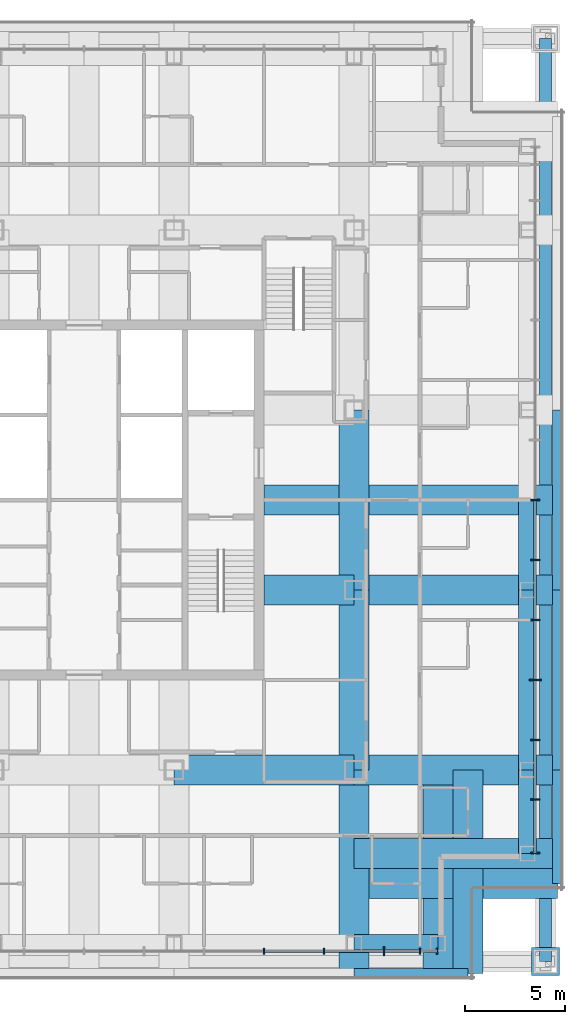
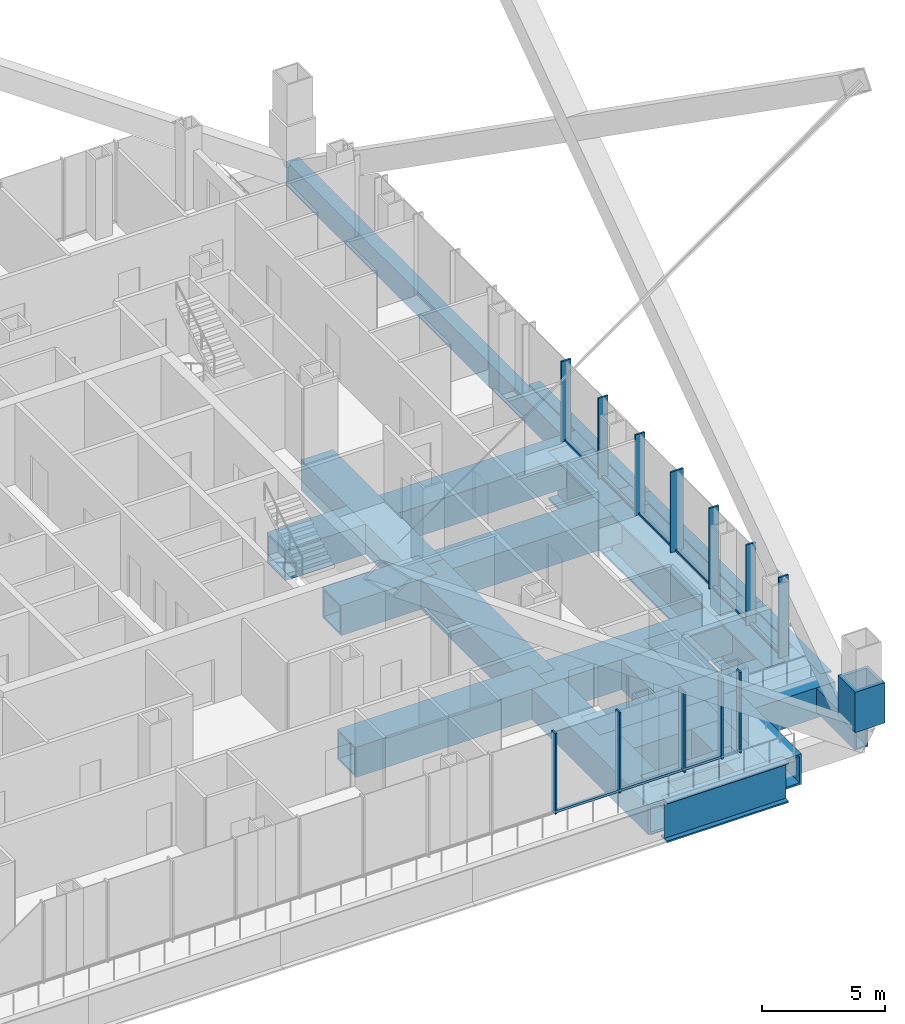
# One storey, part 5 of 18: 23 members, 20 beams, 2 elements without a shape of their own.
"""IFC4 building model written with IfcOpenShell, lengths in metres."""

import ifcopenshell
import ifcopenshell.guid

model = None  # the IFC model being written
_history = None  # IfcOwnerHistory: only IFC2X3 demands one
_inside = {}  # id of a spatial element -> (the spatial element, [elements in it])
_under = {}  # id of a project, library or spatial element -> (it, [spatial elements below it])
_declared = {}  # id of a project -> (the project, [libraries it declares])
_typed = {}  # id of a type object -> (the type object, [elements of that type])
_made_of = {}  # id of a material, layer set ... -> (it, [elements and type objects made of it])


def new_model(schema):
    """Start an empty IFC model of exactly this schema.

    Asked for "IFC4X3", IfcOpenShell would pick the latest addendum, in which some entities
    have other attributes; the version numbers below select the first issue.
    IFC2X3 requires an IfcOwnerHistory on every rooted entity: one is made here for all.
    """
    global model, _history
    if schema == "IFC4X3":
        model = ifcopenshell.file(schema_version=(4, 3, 0, 0))
    else:
        model = ifcopenshell.file(schema=schema)
    _inside.clear()
    _under.clear()
    _declared.clear()
    _typed.clear()
    _made_of.clear()
    _history = None
    if model.schema == "IFC2X3":
        org = make("IfcOrganization", Name="unknown")
        user = make(
            "IfcPersonAndOrganization",
            ThePerson=make("IfcPerson", FamilyName="unknown"),
            TheOrganization=org,
        )
        app = make(
            "IfcApplication",
            ApplicationDeveloper=org,
            Version="unknown",
            ApplicationFullName="unknown",
            ApplicationIdentifier="unknown",
        )
        _history = make(
            "IfcOwnerHistory",
            OwningUser=user,
            OwningApplication=app,
            ChangeAction="ADDED",
            CreationDate=0,
        )
    return model


def make(cls, **values):
    """One entity of the class cls with the attributes given. An attribute that is None is left unset."""
    return model.create_entity(
        cls, **{name: value for name, value in values.items() if value is not None}
    )


def rooted(cls, **values):
    """An entity with a GlobalId (a new one), such as an element, a storey or a relation."""
    return make(cls, GlobalId=ifcopenshell.guid.new(), OwnerHistory=_history, **values)


def si_unit(unit_type, name, prefix=None):
    """IfcSIUnit, for example si_unit("LENGTHUNIT", "METRE", prefix="MILLI")."""
    return make("IfcSIUnit", UnitType=unit_type, Prefix=prefix, Name=name)


def assignment(units):
    """IfcUnitAssignment: the units of a project."""
    return None if units is None else make("IfcUnitAssignment", Units=units)


def point(xyz):
    """IfcCartesianPoint."""
    return None if xyz is None else make("IfcCartesianPoint", Coordinates=xyz)


def direction(xyz):
    """IfcDirection."""
    return None if xyz is None else make("IfcDirection", DirectionRatios=xyz)


def frame(location, z_axis=None, x_axis=None):
    """IfcAxis2Placement3D, a coordinate frame: its origin and axes. An axis left out is left unset."""
    return make(
        "IfcAxis2Placement3D",
        Location=point(location),
        Axis=direction(z_axis),
        RefDirection=direction(x_axis),
    )


def frame_2d(location, x_axis=None):
    """IfcAxis2Placement2D, a coordinate frame in the plane: its origin and x axis."""
    return make(
        "IfcAxis2Placement2D", Location=point(location), RefDirection=direction(x_axis)
    )


def origin():
    """The frame at (0, 0, 0) with its axes left unset."""
    return frame((0.0, 0.0, 0.0))


def origin_2d():
    """The frame at (0, 0) in the plane with its x axis left unset."""
    return frame_2d((0.0, 0.0))


def place(relative_to, where):
    """IfcLocalPlacement: puts the frame where relative to a parent placement (None: the world)."""
    return make(
        "IfcLocalPlacement", PlacementRelTo=relative_to, RelativePlacement=where
    )


def context(
    kind, dimensions, precision=None, world=None, true_north=None, identifier=None
):
    """IfcGeometricRepresentationContext, for example the 3D "Model" context."""
    return make(
        "IfcGeometricRepresentationContext",
        ContextIdentifier=identifier,
        ContextType=kind,
        CoordinateSpaceDimension=dimensions,
        Precision=precision,
        WorldCoordinateSystem=world,
        TrueNorth=true_north,
    )


def subcontext(parent, identifier, kind, view, scale=None):
    """IfcGeometricRepresentationSubContext, for example "Body" below "Model"."""
    return make(
        "IfcGeometricRepresentationSubContext",
        ContextIdentifier=identifier,
        ContextType=kind,
        ParentContext=parent,
        TargetScale=scale,
        TargetView=view,
    )


def project(units=None, contexts=None):
    """IfcProject with its units and contexts."""
    return rooted(
        "IfcProject",
        Name="project",
        RepresentationContexts=contexts,
        UnitsInContext=assignment(units),
    )


def spatial(cls, under=None, at=None, **own):
    """A site, building, storey or space (cls), placed at a placement, below another one or the project."""
    s = rooted(cls, ObjectPlacement=at, **own)
    if under is not None:
        _under.setdefault(under.id(), (under, []))[1].append(s)
    return s


def profile(cls, at=None, kind="AREA", **sizes):
    """A parametric profile (cls). Its sizes go by their IFC names, for example OverallWidth=200.0."""
    return make(cls, ProfileType=kind, Position=at, **sizes)


def rectangle(**sizes):
    """IfcRectangleProfileDef."""
    return profile("IfcRectangleProfileDef", **sizes)


def hollow_rectangle(**sizes):
    """IfcRectangleHollowProfileDef."""
    return profile("IfcRectangleHollowProfileDef", **sizes)


def i_section(**sizes):
    """IfcIShapeProfileDef."""
    return profile("IfcIShapeProfileDef", **sizes)


def extrude(swept, where, along, depth):
    """IfcExtrudedAreaSolid: the profile swept, set in the frame where, extruded along a direction by depth."""
    return make(
        "IfcExtrudedAreaSolid",
        SweptArea=swept,
        Position=where,
        ExtrudedDirection=direction(along),
        Depth=depth,
    )


def shape(context_of_items, identifier, shape_type, items):
    """IfcShapeRepresentation: the items that make up one representation, for example the "Body"."""
    return make(
        "IfcShapeRepresentation",
        ContextOfItems=context_of_items,
        RepresentationIdentifier=identifier,
        RepresentationType=shape_type,
        Items=items,
    )


def material(Name=None, Category=None):
    """IfcMaterial."""
    return make("IfcMaterial", Name=Name, Category=Category)


def layer(
    of_material, thickness, ventilated=None, Name=None, Category=None, Priority=None
):
    """IfcMaterialLayer: one layer of a wall or slab, of a material (None: an air gap)."""
    return make(
        "IfcMaterialLayer",
        Material=of_material,
        LayerThickness=thickness,
        IsVentilated=ventilated,
        Name=Name,
        Category=Category,
        Priority=Priority,
    )


def layer_set(layers, Name=None):
    """IfcMaterialLayerSet."""
    return make("IfcMaterialLayerSet", MaterialLayers=layers, LayerSetName=Name)


def material_profile(
    of_material, cross_section, Name=None, Category=None, Priority=None
):
    """IfcMaterialProfile: a cross section and its material."""
    return make(
        "IfcMaterialProfile",
        Name=Name,
        Material=of_material,
        Profile=cross_section,
        Priority=Priority,
        Category=Category,
    )


def profile_set(profiles, Name=None, composite=None):
    """IfcMaterialProfileSet."""
    return make(
        "IfcMaterialProfileSet",
        Name=Name,
        MaterialProfiles=profiles,
        CompositeProfile=composite,
    )


def made_of(thing, what):
    """Note that an element or type object is made of a material, layer set ...; save() writes the relation."""
    if what is not None:
        _made_of.setdefault(what.id(), (what, []))[1].append(thing)
    return thing


def type_object(cls, material=None, **own):
    """A type object (cls), such as IfcWallType, which elements share."""
    return made_of(rooted(cls, **own), material)


def element(
    cls,
    number,
    at=None,
    inside=None,
    cuts=None,
    type_object=None,
    material=None,
    context=None,
    identifier="Body",
    shape_type=None,
    held_by="IfcProductDefinitionShape",
    body=None,
    shapes=None,
    **own,
):
    """One element of the class cls, such as IfcWall. Its Tag is "e" and its number.

    at: its placement. inside: the storey or other place that contains it. cuts: it is an
    opening in that element (IfcRelVoidsElement). A single representation is given by context,
    identifier, shape_type and body (its items); several are given by shapes. held_by: the class
    of the entity that holds the representations. save() writes the other relations.
    """
    e = rooted(cls, Tag="e%d" % number, ObjectPlacement=at, **own)
    if body is not None:
        shapes = [shape(context, identifier, shape_type, body)]
    if shapes is not None:
        e.Representation = make(held_by, Representations=shapes)
    if inside is not None:
        _inside.setdefault(inside.id(), (inside, []))[1].append(e)
    if cuts is not None:
        rooted(
            "IfcRelVoidsElement", RelatingBuildingElement=cuts, RelatedOpeningElement=e
        )
    if type_object is not None:
        _typed.setdefault(type_object.id(), (type_object, []))[1].append(e)
    return made_of(e, material)


def aggregate(whole, parts):
    """IfcRelAggregates: a whole, such as a stair, and the parts it consists of."""
    return rooted("IfcRelAggregates", RelatingObject=whole, RelatedObjects=parts)


def save(model, path):
    """Write the relations noted so far, then the file.

    IfcRelAggregates (storeys below a building ...), IfcRelContainedInSpatialStructure (elements
    in a storey), IfcRelDefinesByType, IfcRelAssociatesMaterial and IfcRelDeclares: one each for
    every whole, place, type object, material and project.
    """
    for whole, parts in _under.values():
        aggregate(whole, parts)
    for where, things in _inside.values():
        rooted(
            "IfcRelContainedInSpatialStructure",
            RelatedElements=things,
            RelatingStructure=where,
        )
    for kind, things in _typed.values():
        rooted("IfcRelDefinesByType", RelatedObjects=things, RelatingType=kind)
    for what, things in _made_of.values():
        rooted("IfcRelAssociatesMaterial", RelatedObjects=things, RelatingMaterial=what)
    for by, libraries in _declared.values():
        rooted("IfcRelDeclares", RelatingContext=by, RelatedDefinitions=libraries)
    model.write(path)


model = new_model("IFC4")

# Units and contexts
model_context = context("Model", 3, precision=1e-05, world=origin(), true_north=direction((0.0, 1.0)))
body_context = subcontext(model_context, "Body", "Model", "MODEL_VIEW")
ifc_project = project(units=[si_unit("LENGTHUNIT", "METRE"), si_unit("AREAUNIT", "SQUARE_METRE"), si_unit("VOLUMEUNIT", "CUBIC_METRE"), si_unit("PLANEANGLEUNIT", "RADIAN"), si_unit("MASSUNIT", "GRAM", prefix="KILO")], contexts=[model_context])

# Site, building, storey
site_placement = place(None, origin())
site = spatial("IfcSite", under=ifc_project, at=site_placement, CompositionType="ELEMENT")
building_placement = place(site_placement, origin())
building = spatial("IfcBuilding", under=site, at=building_placement, Name="Malebo Sky Hospital", CompositionType="ELEMENT")
storey_placement = place(building_placement, frame((0.0, 0.0, 177.0)))
storey = spatial("IfcBuildingStorey", under=building, at=storey_placement, Name="L42", CompositionType="ELEMENT", Elevation=177.0)

# Curtain wall, members
ifc_material_1 = material(Name="Anodised aluminium, natural silver", Category="aluminium")
ifc_layer_1 = layer(ifc_material_1, 0.25)
ifc_layer_set_1 = layer_set([ifc_layer_1], Name="WARD CURTAIN WALL NORTH AND SOUTH")
curtain_wall_type_1 = type_object("IfcCurtainWallType", Name="WARD CURTAIN WALL NORTH AND SOUTH", PredefinedType="NOTDEFINED", material=ifc_layer_set_1)
curtain_wall_1_placement = place(storey_placement, origin())
curtain_wall_1 = element("IfcCurtainWall", 1, at=curtain_wall_1_placement, inside=storey, type_object=curtain_wall_type_1, Name="NS curtain wall S", PredefinedType="NOTDEFINED")
ifc_material_profile_1 = material_profile(ifc_material_1, rectangle(XDim=0.14990234375, YDim=0.10009765625, at=origin_2d()), Name="ALUMINIUM TRANSOM 150x100")
ifc_profile_set_1 = profile_set([ifc_material_profile_1], Name="Anodised aluminium, natural silver")
member_type_1 = type_object("IfcMemberType", Name="ALUMINIUM TRANSOM 150x100", PredefinedType="USERDEFINED", material=ifc_profile_set_1)
member_1_placement = place(storey_placement, frame((76.762451171875, 39.425048828125, 0.050048828125), z_axis=(-1.0, 0.0, 0.0), x_axis=(0.0, -1.0, 0.0)))
member_1 = element("IfcMember", 2, at=member_1_placement, type_object=member_type_1, Name="Transom 2", ObjectType="TRANSOM", PredefinedType="USERDEFINED", context=body_context, shape_type="SweptSolid", body=[
    extrude(rectangle(XDim=0.14990234375, YDim=0.10009765625, at=origin_2d()), origin(), (0.0, 0.0, 1.0), 1.724853515625),
])
member_2_placement = place(storey_placement, frame((74.96240234375, 39.425048828125, 0.050048828125), z_axis=(-1.0, 0.0, 0.0), x_axis=(0.0, -1.0, 0.0)))
member_2 = element("IfcMember", 3, at=member_2_placement, type_object=member_type_1, Name="Transom 3", ObjectType="TRANSOM", PredefinedType="USERDEFINED", context=body_context, shape_type="SweptSolid", body=[
    extrude(rectangle(XDim=0.14990234375, YDim=0.10009765625, at=origin_2d()), origin(), (0.0, 0.0, 1.0), 2.9248046875),
])
member_3_placement = place(storey_placement, frame((71.96240234375, 39.425048828125, 0.050048828125), z_axis=(-1.0, 0.0, 0.0), x_axis=(0.0, -1.0, 0.0)))
member_3 = element("IfcMember", 4, at=member_3_placement, type_object=member_type_1, Name="Transom 4", ObjectType="TRANSOM", PredefinedType="USERDEFINED", context=body_context, shape_type="SweptSolid", body=[
    extrude(rectangle(XDim=0.14990234375, YDim=0.10009765625, at=origin_2d()), origin(), (0.0, 0.0, 1.0), 2.9248046875),
])

ifc_layer_2 = layer(ifc_material_1, 0.25)
ifc_layer_set_2 = layer_set([ifc_layer_2], Name="WARD CURTAIN WALL EAST AND WEST")
curtain_wall_type_2 = type_object("IfcCurtainWallType", Name="WARD CURTAIN WALL EAST AND WEST", PredefinedType="NOTDEFINED", material=ifc_layer_set_2)
curtain_wall_2_placement = place(storey_placement, origin())
curtain_wall_2 = element("IfcCurtainWall", 5, at=curtain_wall_2_placement, inside=storey, type_object=curtain_wall_type_2, Name="EW curtain wall E", PredefinedType="NOTDEFINED")
member_4_placement = place(storey_placement, frame((82.574951171875, 61.96240234375, 0.050048828125), z_axis=(0.0, -1.0, 0.0), x_axis=(1.0, 0.0, 0.0)))
member_4 = element("IfcMember", 6, at=member_4_placement, type_object=member_type_1, Name="Transom 8", ObjectType="TRANSOM", PredefinedType="USERDEFINED", context=body_context, shape_type="SweptSolid", body=[
    extrude(rectangle(XDim=0.14990234375, YDim=0.10009765625, at=origin_2d()), origin(), (0.0, 0.0, 1.0), 2.9248046875),
])
member_5_placement = place(storey_placement, frame((82.574951171875, 58.96240234375, 0.050048828125), z_axis=(0.0, -1.0, 0.0), x_axis=(1.0, 0.0, 0.0)))
member_5 = element("IfcMember", 7, at=member_5_placement, type_object=member_type_1, Name="Transom 9", ObjectType="TRANSOM", PredefinedType="USERDEFINED", context=body_context, shape_type="SweptSolid", body=[
    extrude(rectangle(XDim=0.14990234375, YDim=0.10009765625, at=origin_2d()), origin(), (0.0, 0.0, 1.0), 2.9248046875),
])
member_6_placement = place(storey_placement, frame((82.574951171875, 55.96240234375, 0.050048828125), z_axis=(0.0, -1.0, 0.0), x_axis=(1.0, 0.0, 0.0)))
member_6 = element("IfcMember", 8, at=member_6_placement, type_object=member_type_1, Name="Transom 10", ObjectType="TRANSOM", PredefinedType="USERDEFINED", context=body_context, shape_type="SweptSolid", body=[
    extrude(rectangle(XDim=0.14990234375, YDim=0.10009765625, at=origin_2d()), origin(), (0.0, 0.0, 1.0), 2.9248046875),
])
member_7_placement = place(storey_placement, frame((82.574951171875, 52.96240234375, 0.050048828125), z_axis=(0.0, -1.0, 0.0), x_axis=(1.0, 0.0, 0.0)))
member_7 = element("IfcMember", 9, at=member_7_placement, type_object=member_type_1, Name="Transom 11", ObjectType="TRANSOM", PredefinedType="USERDEFINED", context=body_context, shape_type="SweptSolid", body=[
    extrude(rectangle(XDim=0.14990234375, YDim=0.10009765625, at=origin_2d()), origin(), (0.0, 0.0, 1.0), 2.9248046875),
])
member_8_placement = place(storey_placement, frame((82.574951171875, 49.96240234375, 0.050048828125), z_axis=(0.0, -1.0, 0.0), x_axis=(1.0, 0.0, 0.0)))
member_8 = element("IfcMember", 10, at=member_8_placement, type_object=member_type_1, Name="Transom 12", ObjectType="TRANSOM", PredefinedType="USERDEFINED", context=body_context, shape_type="SweptSolid", body=[
    extrude(rectangle(XDim=0.14990234375, YDim=0.10009765625, at=origin_2d()), origin(), (0.0, 0.0, 1.0), 2.9248046875),
])
member_9_placement = place(storey_placement, frame((82.574951171875, 46.96240234375, 0.050048828125), z_axis=(0.0, -1.0, 0.0), x_axis=(1.0, 0.0, 0.0)))
member_9 = element("IfcMember", 11, at=member_9_placement, type_object=member_type_1, Name="Transom 13", ObjectType="TRANSOM", PredefinedType="USERDEFINED", context=body_context, shape_type="SweptSolid", body=[
    extrude(rectangle(XDim=0.14990234375, YDim=0.10009765625, at=origin_2d()), origin(), (0.0, 0.0, 1.0), 2.58740234375),
])

# Member
ifc_material_profile_2 = material_profile(ifc_material_1, rectangle(XDim=0.074951171875, YDim=0.300048828125, at=origin_2d()), Name="CW1 ALUMINIUM FIN MULLION 75x300")
ifc_profile_set_2 = profile_set([ifc_material_profile_2], Name="Anodised aluminium, natural silver")
member_type_2 = type_object("IfcMemberType", Name="CW1 ALUMINIUM FIN MULLION 75x300", PredefinedType="MULLION", material=ifc_profile_set_2)
member_10_placement = place(storey_placement, frame((77.66259765625, 39.425048828125, 0.0), z_axis=(0.0, 0.0, 1.0), x_axis=(-1.0, 0.0, 0.0)))
member_10 = element("IfcMember", 12, at=member_10_placement, type_object=member_type_2, Name="Fin mullion 1", PredefinedType="MULLION", context=body_context, shape_type="SweptSolid", body=[
    extrude(rectangle(XDim=0.074951171875, YDim=0.300048828125, at=origin_2d()), origin(), (0.0, 0.0, 1.0), 4.0),
])

member_11_placement = place(storey_placement, frame((76.800048828125, 39.425048828125, 0.0), z_axis=(0.0, 0.0, 1.0), x_axis=(-1.0, 0.0, 0.0)))
member_11 = element("IfcMember", 13, at=member_11_placement, type_object=member_type_2, Name="Fin mullion 2", PredefinedType="MULLION", context=body_context, shape_type="SweptSolid", body=[
    extrude(rectangle(XDim=0.074951171875, YDim=0.300048828125, at=origin_2d()), origin(), (0.0, 0.0, 1.0), 4.0),
])

member_12_placement = place(storey_placement, frame((72.0, 39.425048828125, 0.0), z_axis=(0.0, 0.0, 1.0), x_axis=(-1.0, 0.0, 0.0)))
member_12 = element("IfcMember", 14, at=member_12_placement, type_object=member_type_2, Name="Fin mullion 4", PredefinedType="MULLION", context=body_context, shape_type="SweptSolid", body=[
    extrude(rectangle(XDim=0.074951171875, YDim=0.300048828125, at=origin_2d()), origin(), (0.0, 0.0, 1.0), 4.0),
])

member_13_placement = place(storey_placement, frame((69.0, 39.425048828125, 0.0), z_axis=(0.0, 0.0, 1.0), x_axis=(-1.0, 0.0, 0.0)))
member_13 = element("IfcMember", 15, at=member_13_placement, type_object=member_type_2, Name="Fin mullion 5", PredefinedType="MULLION", context=body_context, shape_type="SweptSolid", body=[
    extrude(rectangle(XDim=0.074951171875, YDim=0.300048828125, at=origin_2d()), origin(), (0.0, 0.0, 1.0), 4.0),
])

ifc_material_profile_3 = material_profile(ifc_material_1, rectangle(XDim=0.074951171875, YDim=0.449951171875, at=origin_2d()), Name="CW1 ALUMINIUM FIN MULLION 75x450")
ifc_profile_set_3 = profile_set([ifc_material_profile_3], Name="Anodised aluminium, natural silver")
member_type_3 = type_object("IfcMemberType", Name="CW1 ALUMINIUM FIN MULLION 75x450", PredefinedType="MULLION", material=ifc_profile_set_3)
member_14_placement = place(storey_placement, frame((75.0, 39.425048828125, 0.0), z_axis=(0.0, 0.0, 1.0), x_axis=(-1.0, 0.0, 0.0)))
member_14 = element("IfcMember", 16, at=member_14_placement, type_object=member_type_3, Name="Fin mullion 3", PredefinedType="MULLION", context=body_context, shape_type="SweptSolid", body=[
    extrude(rectangle(XDim=0.074951171875, YDim=0.449951171875, at=origin_2d()), origin(), (0.0, 0.0, 1.0), 4.0),
])

aggregate(curtain_wall_1, [member_10, member_11, member_14, member_12, member_13, member_1, member_2, member_3])

ifc_material_profile_4 = material_profile(ifc_material_1, rectangle(XDim=0.074951171875, YDim=0.449951171875, at=origin_2d()), Name="CW2 ALUMINIUM FIN MULLION 75x450")
ifc_profile_set_4 = profile_set([ifc_material_profile_4], Name="Anodised aluminium, natural silver")
member_type_4 = type_object("IfcMemberType", Name="CW2 ALUMINIUM FIN MULLION 75x450", PredefinedType="MULLION", material=ifc_profile_set_4)
member_15_placement = place(storey_placement, frame((82.574951171875, 62.0, 0.0), z_axis=(0.0, 0.0, 1.0), x_axis=(0.0, -1.0, 0.0)))
member_15 = element("IfcMember", 17, at=member_15_placement, type_object=member_type_4, Name="Fin mullion 8", PredefinedType="MULLION", context=body_context, shape_type="SweptSolid", body=[
    extrude(rectangle(XDim=0.074951171875, YDim=0.449951171875, at=origin_2d()), origin(), (0.0, 0.0, 1.0), 4.0),
])

member_16_placement = place(storey_placement, frame((82.574951171875, 59.0, 0.0), z_axis=(0.0, 0.0, 1.0), x_axis=(0.0, -1.0, 0.0)))
member_16 = element("IfcMember", 18, at=member_16_placement, type_object=member_type_4, Name="Fin mullion 9", PredefinedType="MULLION", context=body_context, shape_type="SweptSolid", body=[
    extrude(rectangle(XDim=0.074951171875, YDim=0.449951171875, at=origin_2d()), origin(), (0.0, 0.0, 1.0), 4.0),
])

member_17_placement = place(storey_placement, frame((82.574951171875, 56.0, 0.0), z_axis=(0.0, 0.0, 1.0), x_axis=(0.0, -1.0, 0.0)))
member_17 = element("IfcMember", 19, at=member_17_placement, type_object=member_type_4, Name="Fin mullion 10", PredefinedType="MULLION", context=body_context, shape_type="SweptSolid", body=[
    extrude(rectangle(XDim=0.074951171875, YDim=0.449951171875, at=origin_2d()), origin(), (0.0, 0.0, 1.0), 4.0),
])

member_18_placement = place(storey_placement, frame((82.574951171875, 50.0, 0.0), z_axis=(0.0, 0.0, 1.0), x_axis=(0.0, -1.0, 0.0)))
member_18 = element("IfcMember", 20, at=member_18_placement, type_object=member_type_4, Name="Fin mullion 12", PredefinedType="MULLION", context=body_context, shape_type="SweptSolid", body=[
    extrude(rectangle(XDim=0.074951171875, YDim=0.449951171875, at=origin_2d()), origin(), (0.0, 0.0, 1.0), 4.0),
])

member_19_placement = place(storey_placement, frame((82.574951171875, 47.0, 0.0), z_axis=(0.0, 0.0, 1.0), x_axis=(0.0, -1.0, 0.0)))
member_19 = element("IfcMember", 21, at=member_19_placement, type_object=member_type_4, Name="Fin mullion 13", PredefinedType="MULLION", context=body_context, shape_type="SweptSolid", body=[
    extrude(rectangle(XDim=0.074951171875, YDim=0.449951171875, at=origin_2d()), origin(), (0.0, 0.0, 1.0), 4.0),
])

member_20_placement = place(storey_placement, frame((82.574951171875, 44.33740234375, 0.0), z_axis=(0.0, 0.0, 1.0), x_axis=(0.0, -1.0, 0.0)))
member_20 = element("IfcMember", 22, at=member_20_placement, type_object=member_type_4, Name="Fin mullion 14", PredefinedType="MULLION", context=body_context, shape_type="SweptSolid", body=[
    extrude(rectangle(XDim=0.074951171875, YDim=0.449951171875, at=origin_2d()), origin(), (0.0, 0.0, 1.0), 4.0),
])

ifc_material_profile_5 = material_profile(ifc_material_1, rectangle(XDim=0.074951171875, YDim=0.60009765625, at=origin_2d()), Name="CW2 ALUMINIUM FIN MULLION 75x600")
ifc_profile_set_5 = profile_set([ifc_material_profile_5], Name="Anodised aluminium, natural silver")
member_type_5 = type_object("IfcMemberType", Name="CW2 ALUMINIUM FIN MULLION 75x600", PredefinedType="MULLION", material=ifc_profile_set_5)
member_21_placement = place(storey_placement, frame((82.574951171875, 53.0, 0.0), z_axis=(0.0, 0.0, 1.0), x_axis=(0.0, -1.0, 0.0)))
member_21 = element("IfcMember", 23, at=member_21_placement, type_object=member_type_5, Name="Fin mullion 11", PredefinedType="MULLION", context=body_context, shape_type="SweptSolid", body=[
    extrude(rectangle(XDim=0.074951171875, YDim=0.60009765625, at=origin_2d()), origin(), (0.0, 0.0, 1.0), 4.0),
])

aggregate(curtain_wall_2, [member_15, member_16, member_17, member_21, member_18, member_19, member_20, member_4, member_5, member_6, member_7, member_8, member_9])

# Members
ifc_material_2 = material(Name="Steel S460", Category="steel")
ifc_material_profile_6 = material_profile(ifc_material_2, hollow_rectangle(XDim=1.39990234375, YDim=1.39990234375, WallThickness=0.14990234375, at=origin_2d()), Name="BOX 1400x1400x150")
ifc_profile_set_6 = profile_set([ifc_material_profile_6], Name="Steel S460")
member_type_6 = type_object("IfcMemberType", Name="MEGA COLUMN NODE BOX 1400x1400x150", PredefinedType="MEMBER", material=ifc_profile_set_6)
member_22_placement = place(storey_placement, frame((83.10009765625, 38.89990234375, 0.0), z_axis=(0.0, 0.0, 1.0), x_axis=(1.0, 0.0, 0.0)))
element("IfcMember", 24, at=member_22_placement, inside=storey, type_object=member_type_6, Name="Mega column node SE L42", PredefinedType="MEMBER", context=body_context, shape_type="SweptSolid", body=[
    extrude(hollow_rectangle(XDim=1.39990234375, YDim=1.39990234375, WallThickness=0.14990234375, at=origin_2d()), origin(), (0.0, 0.0, 1.0), 2.0),
])
ifc_material_profile_7 = material_profile(ifc_material_2, hollow_rectangle(XDim=0.60009765625, YDim=1.199951171875, WallThickness=0.080078125, at=origin_2d()), Name="BOX 1200x600x80")
ifc_profile_set_7 = profile_set([ifc_material_profile_7], Name="Steel S460")
member_type_7 = type_object("IfcMemberType", Name="MEGA TIE BOX 1200x600x80", PredefinedType="CHORD", material=ifc_profile_set_7)
member_23_placement = place(storey_placement, frame((83.10009765625, 38.89990234375, -0.85009765625), z_axis=(0.0, 1.0, 0.0), x_axis=(-1.0, 0.0, 0.0)))
element("IfcMember", 25, at=member_23_placement, inside=storey, type_object=member_type_7, Name="Mega tie CE L42", PredefinedType="CHORD", context=body_context, shape_type="SweptSolid", body=[
    extrude(hollow_rectangle(XDim=0.60009765625, YDim=1.199951171875, WallThickness=0.080078125, at=origin_2d()), origin(), (0.0, 0.0, 1.0), 46.2001953125),
])

# Beams
ifc_material_profile_8 = material_profile(ifc_material_2, hollow_rectangle(XDim=1.5, YDim=1.5, WallThickness=0.10009765625, at=origin_2d()), Name="BOX 1500x1500x100")
ifc_profile_set_8 = profile_set([ifc_material_profile_8], Name="Steel S460")
beam_type_1 = type_object("IfcBeamType", Name="TRANSFER GIRDER BOX 1500x1500x100", PredefinedType="BEAM", material=ifc_profile_set_8)
beam_1_placement = place(storey_placement, frame((73.5, 38.300048828125, -1.0), z_axis=(0.0, 1.0, 0.0), x_axis=(-1.0, 0.0, 0.0)))
element("IfcBeam", 26, at=beam_1_placement, inside=storey, type_object=beam_type_1, Name="Beam 025 L42", PredefinedType="BEAM", context=body_context, shape_type="SweptSolid", body=[
    extrude(hollow_rectangle(XDim=1.5, YDim=1.5, WallThickness=0.10009765625, at=origin_2d()), origin(), (0.0, 0.0, 1.0), 10.199951171875),
])
for number, where, z_axis, x_axis, name in (
    (27, (73.5, 48.5, -1.0), (0.0, 1.0, 0.0), (-1.0, 0.0, 0.0), "Beam 026 L42"),
    (28, (73.5, 57.5, -1.0), (0.0, 1.0, 0.0), (-1.0, 0.0, 0.0), "Beam 027 L42"),
    (29, (64.5, 48.5, -1.0), (1.0, 0.0, 0.0), (0.0, 1.0, 0.0), "Beam 053 L42"),
):
    element("IfcBeam", number, at=place(storey_placement, frame(where, z_axis=z_axis, x_axis=x_axis)), inside=storey, type_object=beam_type_1, Name=name, PredefinedType="BEAM", context=body_context, shape_type="SweptSolid", body=[
        extrude(hollow_rectangle(XDim=1.5, YDim=1.5, WallThickness=0.10009765625, at=origin_2d()), origin(), (0.0, 0.0, 1.0), 9.0),
    ])
beam_2_placement = place(storey_placement, frame((73.5, 48.5, -1.0), z_axis=(1.0, 0.0, 0.0), x_axis=(0.0, 1.0, 0.0)))
element("IfcBeam", 30, at=beam_2_placement, inside=storey, type_object=beam_type_1, Name="Beam 054 L42", PredefinedType="BEAM", context=body_context, shape_type="SweptSolid", body=[
    extrude(hollow_rectangle(XDim=1.5, YDim=1.5, WallThickness=0.10009765625, at=origin_2d()), origin(), (0.0, 0.0, 1.0), 10.199951171875),
])
beam_3_placement = place(storey_placement, frame((69.0, 57.5, -1.0), z_axis=(1.0, 0.0, 0.0), x_axis=(0.0, 1.0, 0.0)))
element("IfcBeam", 31, at=beam_3_placement, inside=storey, type_object=beam_type_1, Name="Beam 057 L42", PredefinedType="BEAM", context=body_context, shape_type="SweptSolid", body=[
    extrude(hollow_rectangle(XDim=1.5, YDim=1.5, WallThickness=0.10009765625, at=origin_2d()), origin(), (0.0, 0.0, 1.0), 4.5),
])
for number, where, z_axis, x_axis, name in (
    (32, (73.5, 57.5, -1.0), (1.0, 0.0, 0.0), (0.0, 1.0, 0.0), "Beam 058 L42"),
    (33, (77.699951171875, 38.300048828125, -1.0), (0.0, 1.0, 0.0), (-1.0, 0.0, 0.0), "Beam 030 L42"),
    (34, (79.199951171875, 38.300048828125, -1.0), (0.0, 1.0, 0.0), (-1.0, 0.0, 0.0), "Beam 032 L42"),
    (35, (73.5, 42.800048828125, -1.0), (1.0, 0.0, 0.0), (0.0, 1.0, 0.0), "Beam 047 L42"),
    (36, (73.5, 44.300048828125, -1.0), (1.0, 0.0, 0.0), (0.0, 1.0, 0.0), "Beam 049 L42"),
):
    element("IfcBeam", number, at=place(storey_placement, frame(where, z_axis=z_axis, x_axis=x_axis)), inside=storey, type_object=beam_type_1, Name=name, PredefinedType="BEAM", context=body_context, shape_type="SweptSolid", body=[
        extrude(hollow_rectangle(XDim=1.5, YDim=1.5, WallThickness=0.10009765625, at=origin_2d()), origin(), (0.0, 0.0, 1.0), 10.199951171875),
    ])
beam_4_placement = place(storey_placement, frame((69.0, 62.0, -1.0), z_axis=(1.0, 0.0, 0.0), x_axis=(0.0, 1.0, 0.0)))
element("IfcBeam", 37, at=beam_4_placement, inside=storey, type_object=beam_type_1, Name="Beam 060 L42", PredefinedType="BEAM", context=body_context, shape_type="SweptSolid", body=[
    extrude(hollow_rectangle(XDim=1.5, YDim=1.5, WallThickness=0.10009765625, at=origin_2d()), origin(), (0.0, 0.0, 1.0), 14.699951171875),
])
ifc_material_3 = material(Name="Steel S355", Category="steel")
ifc_material_profile_9 = material_profile(ifc_material_3, i_section(OverallWidth=0.5, OverallDepth=2.0, WebThickness=0.0400390625, FlangeThickness=0.080078125, at=origin_2d()), Name="PG 2000x500x40x80")
ifc_profile_set_9 = profile_set([ifc_material_profile_9], Name="Steel S355")
beam_type_2 = type_object("IfcBeamType", Name="TRANSFER GIRDER PG 2000x500x40x80", PredefinedType="BEAM", material=ifc_profile_set_9)
beam_5_placement = place(storey_placement, frame((83.699951171875, 42.800048828125, -1.25), z_axis=(0.0, 1.0, 0.0), x_axis=(-1.0, 0.0, 0.0)))
element("IfcBeam", 38, at=beam_5_placement, inside=storey, type_object=beam_type_2, Name="Beam 035 L42", PredefinedType="BEAM", context=body_context, shape_type="SweptSolid", body=[
    extrude(i_section(OverallWidth=0.5, OverallDepth=2.0, WebThickness=0.0400390625, FlangeThickness=0.080078125, at=origin_2d()), origin(), (0.0, 0.0, 1.0), 5.699951171875),
])
for number, where, z_axis, x_axis, name in (
    (39, (83.699951171875, 48.5, -1.25), (0.0, 1.0, 0.0), (-1.0, 0.0, 0.0), "Beam 036 L42"),
    (40, (83.699951171875, 57.5, -1.25), (0.0, 1.0, 0.0), (-1.0, 0.0, 0.0), "Beam 037 L42"),
):
    element("IfcBeam", number, at=place(storey_placement, frame(where, z_axis=z_axis, x_axis=x_axis)), inside=storey, type_object=beam_type_2, Name=name, PredefinedType="BEAM", context=body_context, shape_type="SweptSolid", body=[
        extrude(i_section(OverallWidth=0.5, OverallDepth=2.0, WebThickness=0.0400390625, FlangeThickness=0.080078125, at=origin_2d()), origin(), (0.0, 0.0, 1.0), 9.0),
    ])
beam_6_placement = place(storey_placement, frame((73.5, 38.300048828125, -1.25), z_axis=(1.0, 0.0, 0.0), x_axis=(0.0, 1.0, 0.0)))
element("IfcBeam", 41, at=beam_6_placement, inside=storey, type_object=beam_type_2, Name="Beam 044 L42", PredefinedType="BEAM", context=body_context, shape_type="SweptSolid", body=[
    extrude(i_section(OverallWidth=0.5, OverallDepth=2.0, WebThickness=0.0400390625, FlangeThickness=0.080078125, at=origin_2d()), origin(), (0.0, 0.0, 1.0), 5.699951171875),
])
ifc_material_profile_10 = material_profile(ifc_material_3, i_section(OverallWidth=0.89990234375, OverallDepth=2.39990234375, WebThickness=0.050048828125, FlangeThickness=0.10009765625, at=origin_2d()), Name="PG 2400x900x50x100")
ifc_profile_set_10 = profile_set([ifc_material_profile_10], Name="Steel S355")
beam_type_3 = type_object("IfcBeamType", Name="TRANSFER GIRDER PG 2400x900x50x100", PredefinedType="BEAM", material=ifc_profile_set_10)
beam_7_placement = place(storey_placement, frame((82.199951171875, 44.300048828125, -1.449951171875), z_axis=(0.0, 1.0, 0.0), x_axis=(-1.0, 0.0, 0.0)))
element("IfcBeam", 42, at=beam_7_placement, inside=storey, type_object=beam_type_3, Name="Beam 034 L42", PredefinedType="BEAM", context=body_context, shape_type="SweptSolid", body=[
    extrude(i_section(OverallWidth=0.89990234375, OverallDepth=2.39990234375, WebThickness=0.050048828125, FlangeThickness=0.10009765625, at=origin_2d()), origin(), (0.0, 0.0, 1.0), 4.199951171875),
])
beam_8_placement = place(storey_placement, frame((82.199951171875, 48.5, -1.449951171875), z_axis=(0.0, 1.0, 0.0), x_axis=(-1.0, 0.0, 0.0)))
element("IfcBeam", 43, at=beam_8_placement, inside=storey, type_object=beam_type_3, Name="Beam 034b L42", PredefinedType="BEAM", context=body_context, shape_type="SweptSolid", body=[
    extrude(i_section(OverallWidth=0.89990234375, OverallDepth=2.39990234375, WebThickness=0.050048828125, FlangeThickness=0.10009765625, at=origin_2d()), origin(), (0.0, 0.0, 1.0), 9.0),
])
beam_9_placement = place(storey_placement, frame((82.199951171875, 57.5, -1.449951171875), z_axis=(0.0, 1.0, 0.0), x_axis=(-1.0, 0.0, 0.0)))
element("IfcBeam", 44, at=beam_9_placement, inside=storey, type_object=beam_type_3, Name="Beam 034c L42", PredefinedType="BEAM", context=body_context, shape_type="SweptSolid", body=[
    extrude(i_section(OverallWidth=0.89990234375, OverallDepth=2.39990234375, WebThickness=0.050048828125, FlangeThickness=0.10009765625, at=origin_2d()), origin(), (0.0, 0.0, 1.0), 4.5),
])
beam_10_placement = place(storey_placement, frame((73.5, 39.800048828125, -1.449951171875), z_axis=(1.0, 0.0, 0.0), x_axis=(0.0, 1.0, 0.0)))
element("IfcBeam", 45, at=beam_10_placement, inside=storey, type_object=beam_type_3, Name="Beam 045f L42", PredefinedType="BEAM", context=body_context, shape_type="SweptSolid", body=[
    extrude(i_section(OverallWidth=0.89990234375, OverallDepth=2.39990234375, WebThickness=0.050048828125, FlangeThickness=0.10009765625, at=origin_2d()), origin(), (0.0, 0.0, 1.0), 4.199951171875),
])

save(model, "model.ifc")
